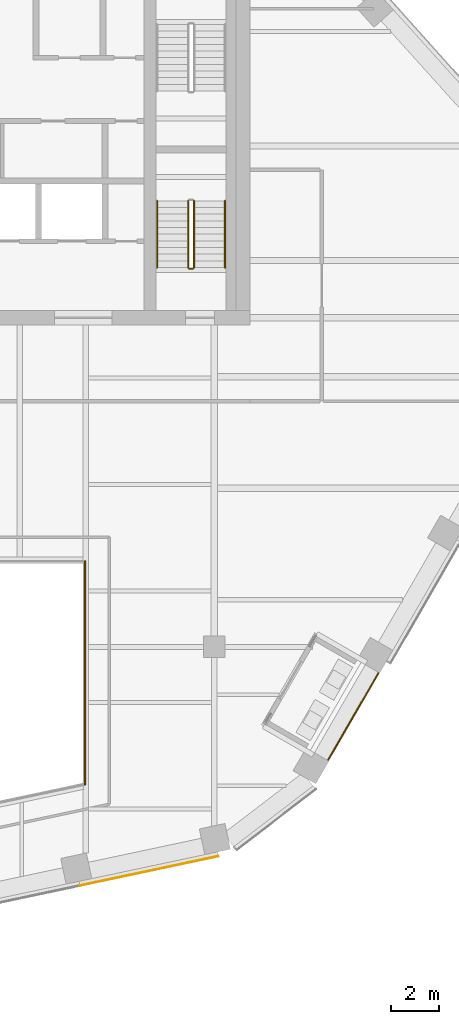
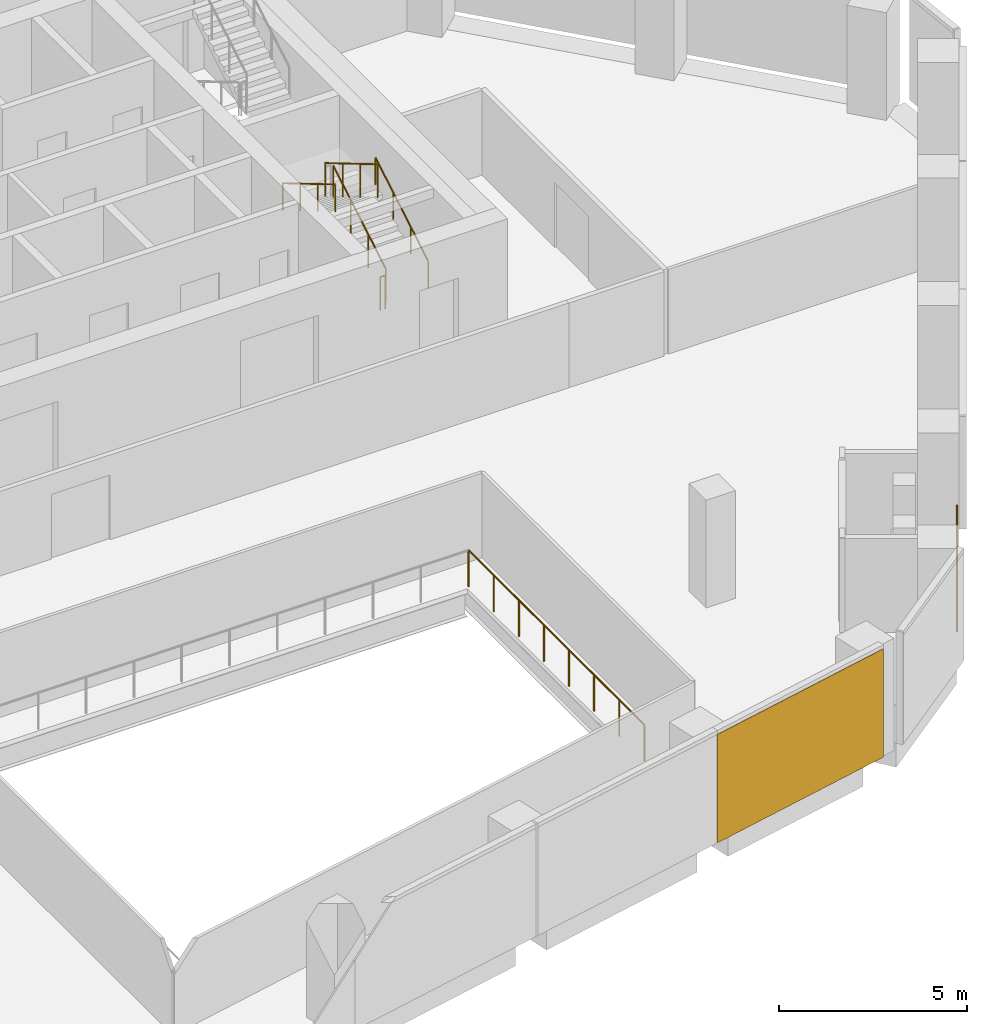
# One storey, part 21 of 24: 7 railings, 1 covering, 1 element without a shape of its own.
"""IFC4 building model written with IfcOpenShell, lengths in metres."""

from ifc_helpers import new_model, si_unit, direction, frame, origin, origin_2d, place, context, subcontext, project, spatial, rectangle, circle, extrude, material, layer, layer_set, type_object, element, aggregate, save


model = new_model("IFC4")

# Units and contexts
model_context = context("Model", 3, precision=1e-05, world=origin(), true_north=direction((0.0, 1.0)))
body_context = subcontext(model_context, "Body", "Model", "MODEL_VIEW")
ifc_project = project(units=[si_unit("LENGTHUNIT", "METRE"), si_unit("AREAUNIT", "SQUARE_METRE"), si_unit("VOLUMEUNIT", "CUBIC_METRE"), si_unit("PLANEANGLEUNIT", "RADIAN"), si_unit("MASSUNIT", "GRAM", prefix="KILO")], contexts=[model_context])

# Site, building, storey
site_placement = place(None, origin())
site = spatial("IfcSite", under=ifc_project, at=site_placement, CompositionType="ELEMENT")
building_placement = place(site_placement, origin())
building = spatial("IfcBuilding", under=site, at=building_placement, Name="Isthmus Gate Tower", CompositionType="ELEMENT")
storey_placement = place(building_placement, frame((0.0, 0.0, 219.949951171875)))
storey = spatial("IfcBuildingStorey", under=building, at=storey_placement, Name="L55", CompositionType="ELEMENT", Elevation=219.949951171875)

# Railing
ifc_material_1 = material(Name="Laminated toughened glass balustrade with steel rail", Category="steel")
railing_type_1 = type_object("IfcRailingType", Name="ATRIUM GUARD GLASS BALUSTRADE 1200", PredefinedType="GUARDRAIL", material=ifc_material_1)
railing_1_placement = place(storey_placement, frame((8.080078125, -9.919921875, 0.0)))
element("IfcRailing", 1, at=railing_1_placement, inside=storey, type_object=railing_type_1, Name="L55 atrium guard", PredefinedType="GUARDRAIL", context=body_context, shape_type="SweptSolid", body=[
    extrude(circle(Radius=0.02490234375, at=origin_2d()), frame((0.0, 0.0, 1.1748046875), z_axis=(0.0, -1.0, 0.0), x_axis=(1.0, 0.0, 0.0)), (0.0, 0.0, 1.0), 9.35498046875),
    extrude(circle(Radius=0.02490234375, at=origin_2d()), origin(), (0.0, 0.0, 1.0), 1.14990234375),
    extrude(circle(Radius=0.02490234375, at=origin_2d()), frame((0.0, -1.33642578125, 0.0)), (0.0, 0.0, 1.0), 1.14990234375),
    extrude(circle(Radius=0.02490234375, at=origin_2d()), frame((0.0, -2.6728515625, 0.0)), (0.0, 0.0, 1.0), 1.14990234375),
    extrude(circle(Radius=0.02490234375, at=origin_2d()), frame((0.0, -4.00927734375, 0.0)), (0.0, 0.0, 1.0), 1.14990234375),
    extrude(circle(Radius=0.02490234375, at=origin_2d()), frame((0.0, -5.345703125, 0.0)), (0.0, 0.0, 1.0), 1.14990234375),
    extrude(circle(Radius=0.02490234375, at=origin_2d()), frame((0.0, -6.68212890625, 0.0)), (0.0, 0.0, 1.0), 1.14990234375),
    extrude(circle(Radius=0.02490234375, at=origin_2d()), frame((0.0, -8.0185546875, 0.0)), (0.0, 0.0, 1.0), 1.14990234375),
    extrude(circle(Radius=0.02490234375, at=origin_2d()), frame((0.0, -9.35498046875, 0.0)), (0.0, 0.0, 1.0), 1.14990234375),
])

# Curtain wall, covering
ifc_material_2 = material(Name="Aluminium, pale champagne anodised", Category="aluminium")
ifc_layer_1 = layer(ifc_material_2, 0.199951171875)
ifc_layer_set_1 = layer_set([ifc_layer_1], Name="CW-1 UNITISED CURTAIN WALL 200 DEEP")
curtain_wall_type = type_object("IfcCurtainWallType", Name="CW-1 UNITISED CURTAIN WALL 200 DEEP", PredefinedType="NOTDEFINED", material=ifc_layer_set_1)
curtain_wall_placement = place(storey_placement, origin())
curtain_wall = element("IfcCurtainWall", 2, at=curtain_wall_placement, inside=storey, type_object=curtain_wall_type, Name="CW-1 S L55", PredefinedType="NOTDEFINED")
ifc_material_3 = material(Name="Aluminium composite panel, pale champagne anodised", Category="aluminium")
ifc_layer_2 = layer(ifc_material_3, 0.031982421875)
ifc_layer_set_2 = layer_set([ifc_layer_2], Name="CW-1 PALE METAL PANEL 32")
covering_type = type_object("IfcCoveringType", Name="CW-1 PALE METAL PANEL 32", PredefinedType="CLADDING", material=ifc_layer_set_2)
covering_placement = place(storey_placement, frame((10.7685546875, -22.899169921875, 0.0), z_axis=(0.0, 0.0, 1.0), x_axis=(0.978147600734, 0.207911690818, 0.0)))
covering = element("IfcCovering", 3, at=covering_placement, type_object=covering_type, Name="CW-1 pale metal panel", PredefinedType="CLADDING", context=body_context, shape_type="SweptSolid", body=[
    extrude(rectangle(XDim=5.94189453125, YDim=0.031982421875, at=origin_2d()), origin(), (0.0, 0.0, 1.0), 3.52001953125),
])
aggregate(curtain_wall, [covering])

# Railings
ifc_material_4 = material(Name="Toughened laminated glass with stainless steel posts", Category="steel")
railing_type_2 = type_object("IfcRailingType", Name="GUARD 1200 FRAMELESS GLASS", PredefinedType="GUARDRAIL", material=ifc_material_4)
railing_2_placement = place(storey_placement, frame((18.28173828125, -18.235107421875, 0.0)))
element("IfcRailing", 4, at=railing_2_placement, inside=storey, type_object=railing_type_2, Name="LOGGIA GUARD", PredefinedType="GUARDRAIL", context=body_context, shape_type="SweptSolid", body=[
    extrude(circle(Radius=0.02490234375, at=origin_2d()), frame((0.0, 0.0, 1.1748046875), z_axis=(0.499995423472, 0.866028046028, 0.0), x_axis=(-0.866028046028, 0.499995423472, 0.0)), (0.0, 0.0, 1.0), 4.1806640625),
    extrude(circle(Radius=0.02490234375, at=origin_2d()), origin(), (0.0, 0.0, 1.0), 1.14990234375),
    extrude(circle(Radius=0.02490234375, at=origin_2d()), frame((0.69677734375, 1.206787109375, 0.0)), (0.0, 0.0, 1.0), 1.14990234375),
    extrude(circle(Radius=0.02490234375, at=origin_2d()), frame((1.3935546875, 2.413818359375, 0.0)), (0.0, 0.0, 1.0), 1.14990234375),
    extrude(circle(Radius=0.02490234375, at=origin_2d()), frame((2.09033203125, 3.62060546875, 0.0)), (0.0, 0.0, 1.0), 1.14990234375),
])
ifc_material_5 = material(Name="Stainless steel balustrade", Category="steel")
railing_type_3 = type_object("IfcRailingType", Name="STAIR GUARD 1100", PredefinedType="GUARDRAIL", material=ifc_material_5)
railing_3_placement = place(storey_placement, frame((12.64990234375, 2.39990234375, 0.166015625)))
element("IfcRailing", 5, at=railing_3_placement, inside=storey, type_object=railing_type_3, Name="L55 ST8 stair guard 1", PredefinedType="GUARDRAIL", context=body_context, shape_type="SweptSolid", body=[
    extrude(circle(Radius=0.02392578125, at=origin_2d()), frame((0.0, 0.0, 1.076171875), z_axis=(0.0, 0.860339051648, 0.50972219513), x_axis=(-1.0, 0.0, 0.0)), (0.0, 0.0, 1.0), 3.254638671875),
    extrude(circle(Radius=0.02099609375, at=origin_2d()), origin(), (0.0, 0.0, 1.0), 1.052001953125),
    extrude(circle(Radius=0.02099609375, at=origin_2d()), frame((0.0, 0.933349609375, 0.552978515625)), (0.0, 0.0, 1.0), 1.052001953125),
    extrude(circle(Radius=0.02099609375, at=origin_2d()), frame((0.0, 1.86669921875, 1.10595703125)), (0.0, 0.0, 1.0), 1.052001953125),
    extrude(circle(Radius=0.02099609375, at=origin_2d()), frame((0.0, 2.800048828125, 1.658935546875)), (0.0, 0.0, 1.0), 1.052001953125),
])
railing_4_placement = place(storey_placement, frame((12.39990234375, 5.199951171875, 1.990966796875)))
element("IfcRailing", 6, at=railing_4_placement, inside=storey, type_object=railing_type_3, Name="L55 ST8 stair guard 3", PredefinedType="GUARDRAIL", context=body_context, shape_type="SweptSolid", body=[
    extrude(circle(Radius=0.02392578125, at=origin_2d()), frame((0.0, 0.0, 1.076171875), z_axis=(0.0, -0.860306154799, 0.50977771628), x_axis=(1.0, 0.0, 0.0)), (0.0, 0.0, 1.0), 3.254638671875),
    extrude(circle(Radius=0.02099609375, at=origin_2d()), origin(), (0.0, 0.0, 1.0), 1.052001953125),
    extrude(circle(Radius=0.02099609375, at=origin_2d()), frame((0.0, -0.933349609375, 0.552978515625)), (0.0, 0.0, 1.0), 1.052001953125),
    extrude(circle(Radius=0.02099609375, at=origin_2d()), frame((0.0, -1.86669921875, 1.106201171875)), (0.0, 0.0, 1.0), 1.052001953125),
    extrude(circle(Radius=0.02099609375, at=origin_2d()), frame((0.0, -2.800048828125, 1.6591796875)), (0.0, 0.0, 1.0), 1.052001953125),
])
railing_5_placement = place(storey_placement, frame((12.60009765625, 2.35009765625, 0.0)))
element("IfcRailing", 7, at=railing_5_placement, inside=storey, type_object=railing_type_3, Name="L55 ST8 stair guard 4", PredefinedType="GUARDRAIL", context=body_context, shape_type="SweptSolid", body=[
    extrude(circle(Radius=0.02392578125, at=origin_2d()), frame((0.0, 0.0, 1.076171875), z_axis=(-1.0, 0.0, 0.0), x_axis=(0.0, -1.0, 0.0)), (0.0, 0.0, 1.0), 0.150146484375),
    extrude(circle(Radius=0.02099609375, at=origin_2d()), origin(), (0.0, 0.0, 1.0), 1.052001953125),
    extrude(circle(Radius=0.02099609375, at=origin_2d()), frame((-0.150146484375, 0.0, 0.0)), (0.0, 0.0, 1.0), 1.052001953125),
])
ifc_material_6 = material(Name="Stainless steel handrail", Category="steel")
railing_type_4 = type_object("IfcRailingType", Name="STAIR HANDRAIL 900", PredefinedType="HANDRAIL", material=ifc_material_6)
railing_6_placement = place(storey_placement, frame((13.949951171875, 2.39990234375, 0.166015625)))
element("IfcRailing", 8, at=railing_6_placement, inside=storey, type_object=railing_type_4, Name="L55 ST8 stair handrail 1", PredefinedType="HANDRAIL", context=body_context, shape_type="SweptSolid", body=[
    extrude(circle(Radius=0.02392578125, at=origin_2d()), frame((0.0, 0.0, 0.8759765625), z_axis=(0.0, 0.860339051648, 0.50972219513), x_axis=(-1.0, 0.0, 0.0)), (0.0, 0.0, 1.0), 3.254638671875),
    extrude(circle(Radius=0.02099609375, at=origin_2d()), origin(), (0.0, 0.0, 1.0), 0.851806640625),
    extrude(circle(Radius=0.02099609375, at=origin_2d()), frame((0.0, 0.933349609375, 0.552978515625)), (0.0, 0.0, 1.0), 0.851806640625),
    extrude(circle(Radius=0.02099609375, at=origin_2d()), frame((0.0, 1.86669921875, 1.10595703125)), (0.0, 0.0, 1.0), 0.851806640625),
    extrude(circle(Radius=0.02099609375, at=origin_2d()), frame((0.0, 2.800048828125, 1.658935546875)), (0.0, 0.0, 1.0), 0.851806640625),
])
railing_7_placement = place(storey_placement, frame((11.10009765625, 5.199951171875, 1.990966796875)))
element("IfcRailing", 9, at=railing_7_placement, inside=storey, type_object=railing_type_4, Name="L55 ST8 stair handrail 2", PredefinedType="HANDRAIL", context=body_context, shape_type="SweptSolid", body=[
    extrude(circle(Radius=0.02392578125, at=origin_2d()), frame((0.0, 0.0, 0.8759765625), z_axis=(0.0, -0.860306154799, 0.50977771628), x_axis=(1.0, 0.0, 0.0)), (0.0, 0.0, 1.0), 3.254638671875),
    extrude(circle(Radius=0.02099609375, at=origin_2d()), origin(), (0.0, 0.0, 1.0), 0.851806640625),
    extrude(circle(Radius=0.02099609375, at=origin_2d()), frame((0.0, -0.933349609375, 0.552978515625)), (0.0, 0.0, 1.0), 0.851806640625),
    extrude(circle(Radius=0.02099609375, at=origin_2d()), frame((0.0, -1.86669921875, 1.106201171875)), (0.0, 0.0, 1.0), 0.851806640625),
    extrude(circle(Radius=0.02099609375, at=origin_2d()), frame((0.0, -2.800048828125, 1.6591796875)), (0.0, 0.0, 1.0), 0.851806640625),
])

save(model, "model.ifc")
